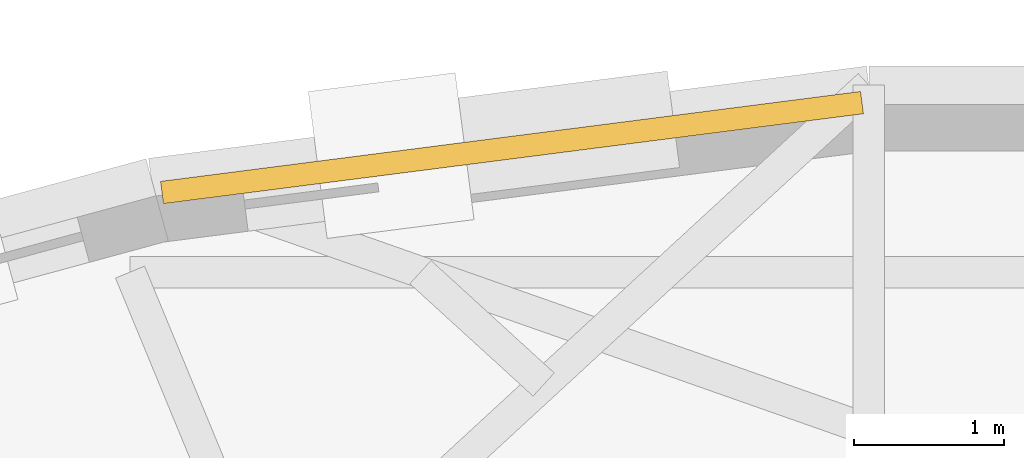
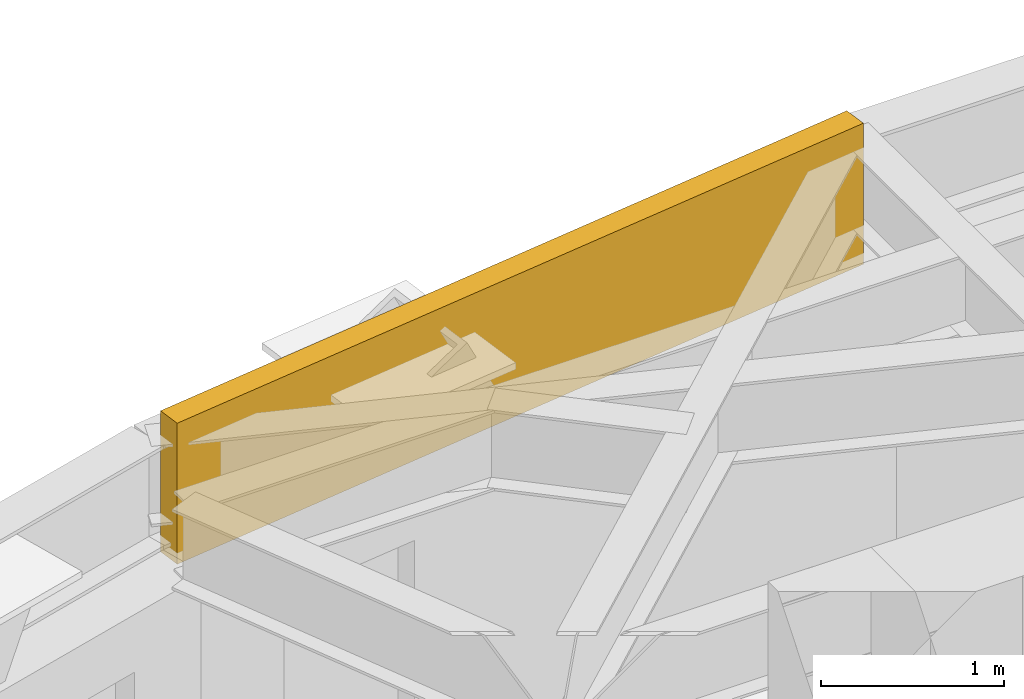
# One storey, part 15 of 15: 1 covering.
"""IFC4 building model written with IfcOpenShell, lengths in metres."""

from ifc_helpers import new_model, si_unit, direction, frame, origin, origin_2d, place, context, subcontext, project, spatial, rectangle, extrude, material, layer, layer_set, type_object, element, save


model = new_model("IFC4")

# Units and contexts
model_context = context("Model", 3, precision=1e-05, world=origin(), true_north=direction((0.0, 1.0)))
body_context = subcontext(model_context, "Body", "Model", "MODEL_VIEW")
ifc_project = project(units=[si_unit("LENGTHUNIT", "METRE"), si_unit("AREAUNIT", "SQUARE_METRE"), si_unit("VOLUMEUNIT", "CUBIC_METRE"), si_unit("PLANEANGLEUNIT", "RADIAN"), si_unit("MASSUNIT", "GRAM", prefix="KILO")], contexts=[model_context])

# Site, building, storey
site_placement = place(None, origin())
site = spatial("IfcSite", under=ifc_project, at=site_placement, CompositionType="ELEMENT")
building_placement = place(site_placement, origin())
building = spatial("IfcBuilding", under=site, at=building_placement, Name="Keldmark Tower", CompositionType="ELEMENT")
storey_placement = place(building_placement, frame((0.0, 0.0, 159.800048828125)))
storey = spatial("IfcBuildingStorey", under=building, at=storey_placement, Name="L43", CompositionType="ELEMENT", Elevation=159.800048828125)

# Covering
ifc_material = material(Name="Honed Kasota Buff Dolomitic Limestone", Category="masonry")
ifc_layer = layer(ifc_material, 0.074951171875)
ifc_layer_set = layer_set([ifc_layer], Name="Honed Kasota Buff Dolomitic Limestone")
covering_type = type_object("IfcCoveringType", Name="Kasota Buff Limestone Spandrel Cladding Band", PredefinedType="CLADDING", material=ifc_layer_set)
covering_placement = place(storey_placement, frame((-4.823974609375, 16.370849609375, 2.239013671875), z_axis=(0.0, 0.0, 1.0), x_axis=(-0.991850028246, -0.12741083733, 0.0)))
element("IfcCovering", 1, at=covering_placement, inside=storey, type_object=covering_type, Name="L43 Kasota Limestone Spandrel Band 09", PredefinedType="CLADDING", context=body_context, shape_type="SweptSolid", body=[
    extrude(rectangle(XDim=4.717041015625, YDim=0.14990234375, at=origin_2d()), origin(), (0.0, 0.0, 1.0), 0.94091796875),
])

save(model, "model.ifc")
